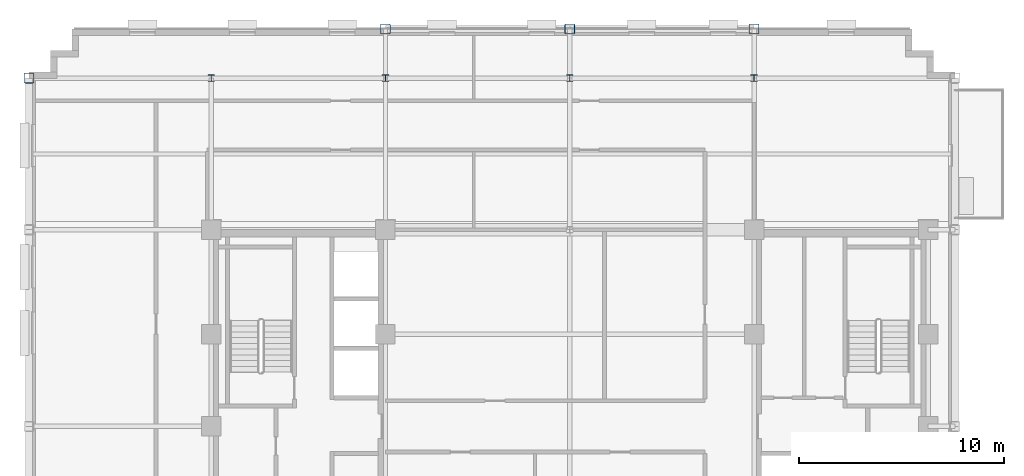
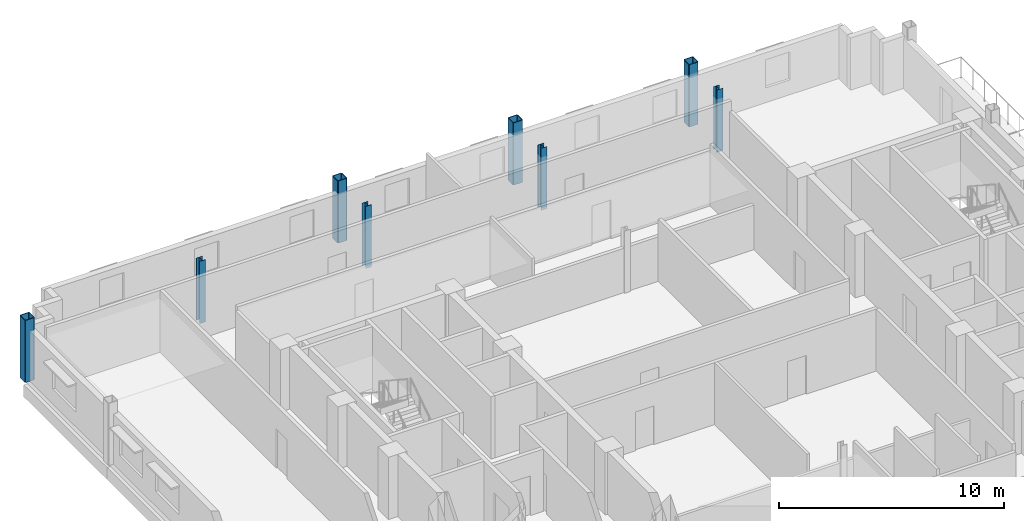
# One storey, part 3 of 13: 8 columns.
"""IFC4 building model written with IfcOpenShell, lengths in metres."""

from ifc_helpers import new_model, si_unit, direction, frame, origin, origin_2d, place, context, subcontext, project, spatial, hollow_rectangle, i_section, extrude, material, material_profile, profile_set, type_object, element, save


model = new_model("IFC4")

# Units and contexts
model_context = context("Model", 3, precision=1e-05, world=origin(), true_north=direction((0.0, 1.0)))
body_context = subcontext(model_context, "Body", "Model", "MODEL_VIEW")
ifc_project = project(units=[si_unit("LENGTHUNIT", "METRE"), si_unit("AREAUNIT", "SQUARE_METRE"), si_unit("VOLUMEUNIT", "CUBIC_METRE"), si_unit("PLANEANGLEUNIT", "RADIAN"), si_unit("MASSUNIT", "GRAM", prefix="KILO")], contexts=[model_context])

# Site, building, storey
site_placement = place(None, origin())
site = spatial("IfcSite", under=ifc_project, at=site_placement, CompositionType="ELEMENT")
building_placement = place(site_placement, origin())
building = spatial("IfcBuilding", under=site, at=building_placement, Name="Nuvemarco Arch Tower", CompositionType="ELEMENT")
storey_placement = place(building_placement, frame((0.0, 0.0, 216.449951171875)))
storey = spatial("IfcBuildingStorey", under=building, at=storey_placement, Name="L57", CompositionType="ELEMENT", Elevation=216.449951171875)

# Columns
ifc_material = material(Name="Steel S355", Category="steel")
ifc_material_profile_1 = material_profile(ifc_material, hollow_rectangle(XDim=0.5, YDim=0.5, WallThickness=0.031982421875, InnerFilletRadius=0.031982421875, OuterFilletRadius=0.06396484375, at=origin_2d()), Name="SHS500x500x32")
ifc_profile_set_1 = profile_set([ifc_material_profile_1], Name="Steel S355")
column_type_1 = type_object("IfcColumnType", Name="COL-EXO-500", PredefinedType="COLUMN", material=ifc_profile_set_1)
for number, where, z_axis, x_axis, name in (
    (1, (-26.39990234375, 17.0, 0.0), (0.0, 0.0, 1.0), (1.0, 0.0, 0.0), "L57 column CX_-26.4_+17.0"),
    (2, (-9.0, 19.39990234375, 0.0), (0.0, 0.0, 1.0), (1.0, 0.0, 0.0), "L57 column CY_-9.0_+19.4"),
    (3, (0.0, 19.39990234375, 0.0), (0.0, 0.0, 1.0), (1.0, 0.0, 0.0), "L57 column CY_+0.0_+19.4"),
    (4, (9.0, 19.39990234375, 0.0), (0.0, 0.0, 1.0), (1.0, 0.0, 0.0), "L57 column CY_+9.0_+19.4"),
):
    element("IfcColumn", number, at=place(storey_placement, frame(where, z_axis=z_axis, x_axis=x_axis)), inside=storey, type_object=column_type_1, Name=name, PredefinedType="COLUMN", context=body_context, shape_type="SweptSolid", body=[
        extrude(hollow_rectangle(XDim=0.5, YDim=0.5, WallThickness=0.031982421875, InnerFilletRadius=0.031982421875, OuterFilletRadius=0.06396484375, at=origin_2d()), origin(), (0.0, 0.0, 1.0), 3.3701171875),
    ])
ifc_material_profile_2 = material_profile(ifc_material, i_section(OverallWidth=0.31005859375, OverallDepth=0.31005859375, WebThickness=0.015380859375, FlangeThickness=0.015380859375, FilletRadius=0.014892578125, at=origin_2d()), Name="HP310x110")
ifc_profile_set_2 = profile_set([ifc_material_profile_2], Name="Steel S355")
column_type_2 = type_object("IfcColumnType", Name="COL-STL-HP310", PredefinedType="COLUMN", material=ifc_profile_set_2)
for number, where, z_axis, x_axis, name in (
    (5, (0.0, 17.0, 0.0), (0.0, 0.0, 1.0), (1.0, 0.0, 0.0), "L57 column CI_+0.0_+17.0"),
    (6, (-17.5, 17.0, 0.0), (0.0, 0.0, 1.0), (1.0, 0.0, 0.0), "L57 column CI_-17.5_+17.0"),
    (7, (-9.0, 17.0, 0.0), (0.0, 0.0, 1.0), (1.0, 0.0, 0.0), "L57 column CI_-9.0_+17.0"),
    (8, (9.0, 17.0, 0.0), (0.0, 0.0, 1.0), (1.0, 0.0, 0.0), "L57 column CI_+9.0_+17.0"),
):
    element("IfcColumn", number, at=place(storey_placement, frame(where, z_axis=z_axis, x_axis=x_axis)), inside=storey, type_object=column_type_2, Name=name, PredefinedType="COLUMN", context=body_context, shape_type="SweptSolid", body=[
        extrude(i_section(OverallWidth=0.31005859375, OverallDepth=0.31005859375, WebThickness=0.015380859375, FlangeThickness=0.015380859375, FilletRadius=0.014892578125, at=origin_2d()), origin(), (0.0, 0.0, 1.0), 3.3701171875),
    ])

save(model, "model.ifc")
